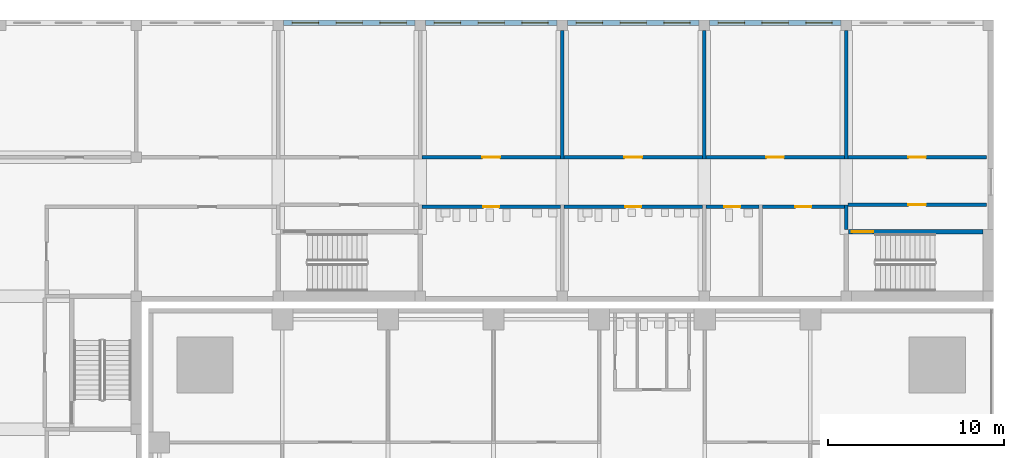
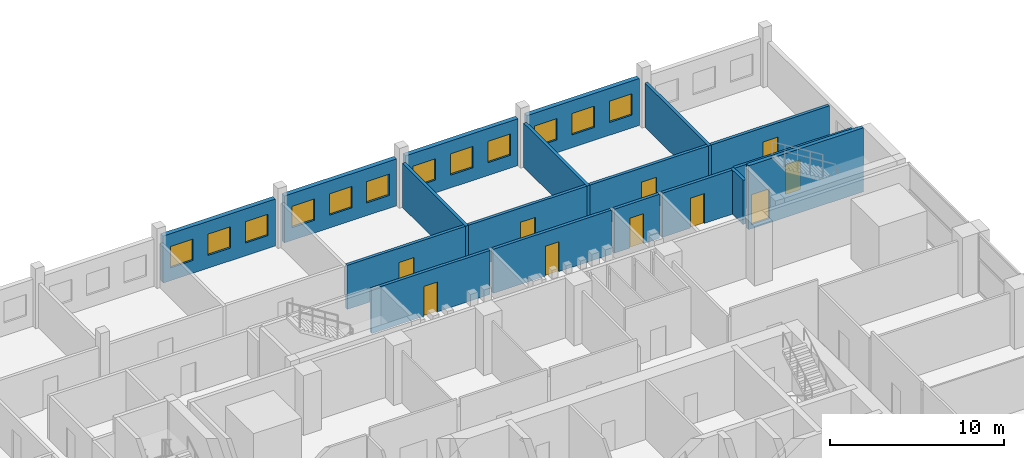
# One storey, part 17 of 25: 18 walls, 12 windows, 10 doors, 22 openings.
"""IFC4 building model written with IfcOpenShell, lengths in metres."""

from ifc_helpers import new_model, si_unit, direction, frame, frame_2d, origin, place, context, subcontext, project, spatial, rectangle, extrude, material, layer, layer_set, type_object, element, fill, save


model = new_model("IFC4")

# Units and contexts
model_context = context("Model", 3, precision=1e-05, world=origin(), true_north=direction((0.0, 1.0)))
body_context = subcontext(model_context, "Body", "Model", "MODEL_VIEW")
ifc_project = project(units=[si_unit("LENGTHUNIT", "METRE"), si_unit("AREAUNIT", "SQUARE_METRE"), si_unit("VOLUMEUNIT", "CUBIC_METRE"), si_unit("PLANEANGLEUNIT", "RADIAN"), si_unit("MASSUNIT", "GRAM", prefix="KILO")], contexts=[model_context])

# Site, building, storey
site_placement = place(None, origin())
site = spatial("IfcSite", under=ifc_project, at=site_placement, CompositionType="ELEMENT")
building_placement = place(site_placement, origin())
building = spatial("IfcBuilding", under=site, at=building_placement, Name="Amberfall Residences", CompositionType="ELEMENT")
storey_placement = place(building_placement, frame((0.0, 0.0, 14.5)))
storey = spatial("IfcBuildingStorey", under=building, at=storey_placement, Name="L03", CompositionType="ELEMENT", Elevation=14.5)

# Wall, openings, windows
ifc_material_1 = material(Name="Aerated block wall")
ifc_layer_1 = layer(ifc_material_1, 0.300048828125)
ifc_layer_set_1 = layer_set([ifc_layer_1], Name="School external wall 300")
wall_type_1 = type_object("IfcWallType", Name="School external wall 300", PredefinedType="SOLIDWALL", material=ifc_layer_set_1)
wall_1_placement = place(storey_placement, frame((59.6669921875, 84.25, 0.0), z_axis=(0.0, 0.0, 1.0), x_axis=(1.0, 0.0, 0.0)))
wall_1 = element("IfcWall", 1, at=wall_1_placement, inside=storey, type_object=wall_type_1, Name="School external wall L03 EN3", PredefinedType="SOLIDWALL", context=body_context, shape_type="SweptSolid", body=[
    extrude(rectangle(XDim=7.466064453125, YDim=0.300048828125, at=frame_2d((3.73291015625, 0.0))), origin(), (0.0, 0.0, 1.0), 3.300048828125),
])
opening_1_placement = place(wall_1_placement, frame((0.494384765625, 0.0, 0.89990234375)))
opening_1 = element("IfcOpeningElement", 2, at=opening_1_placement, cuts=wall_1, Name="Opening SWN1", PredefinedType="OPENING", context=body_context, shape_type="SweptSolid", body=[
    extrude(rectangle(XDim=1.5, YDim=1.5, at=frame_2d((0.75, 0.75))), frame((0.0, 0.159912109375, 0.0), z_axis=(0.0, -1.0, 0.0), x_axis=(1.0, 0.0, 0.0)), (0.0, 0.0, 1.0), 0.320068359375),
])
opening_2_placement = place(wall_1_placement, frame((2.98291015625, 0.0, 0.89990234375)))
opening_2 = element("IfcOpeningElement", 3, at=opening_2_placement, cuts=wall_1, Name="Opening SWN1", PredefinedType="OPENING", context=body_context, shape_type="SweptSolid", body=[
    extrude(rectangle(XDim=1.5, YDim=1.5, at=frame_2d((0.75, 0.75))), frame((0.0, 0.159912109375, 0.0), z_axis=(0.0, -1.0, 0.0), x_axis=(1.0, 0.0, 0.0)), (0.0, 0.0, 1.0), 0.320068359375),
])
opening_3_placement = place(wall_1_placement, frame((5.4716796875, 0.0, 0.89990234375)))
opening_3 = element("IfcOpeningElement", 4, at=opening_3_placement, cuts=wall_1, Name="Opening SWN1", PredefinedType="OPENING", context=body_context, shape_type="SweptSolid", body=[
    extrude(rectangle(XDim=1.5, YDim=1.5, at=frame_2d((0.75, 0.75))), frame((0.0, 0.159912109375, 0.0), z_axis=(0.0, -1.0, 0.0), x_axis=(1.0, 0.0, 0.0)), (0.0, 0.0, 1.0), 0.320068359375),
])
ifc_material_2 = material(Name="Aluminium window", Category="aluminium")
window_type = type_object("IfcWindowType", Name="School window 1500 x 1500", PartitioningType="DOUBLE_PANEL_HORIZONTAL", PredefinedType="WINDOW", material=ifc_material_2)
window_1_placement = place(opening_1_placement, origin())
window_1 = element("IfcWindow", 5, at=window_1_placement, inside=storey, type_object=window_type, Name="School window L03 EN3-1", OverallHeight=1.5, OverallWidth=1.5, PartitioningType="DOUBLE_PANEL_HORIZONTAL", PredefinedType="WINDOW", context=body_context, shape_type="SweptSolid", body=[
    extrude(rectangle(XDim=1.5, YDim=1.5, at=frame_2d((0.75, 0.75))), frame((0.0, 0.030029296875, 0.0), z_axis=(0.0, -1.0, 0.0), x_axis=(1.0, 0.0, 0.0)), (0.0, 0.0, 1.0), 0.06005859375),
])
fill(opening_1, window_1)
window_2_placement = place(opening_2_placement, origin())
window_2 = element("IfcWindow", 6, at=window_2_placement, inside=storey, type_object=window_type, Name="School window L03 EN3-2", OverallHeight=1.5, OverallWidth=1.5, PartitioningType="DOUBLE_PANEL_HORIZONTAL", PredefinedType="WINDOW", context=body_context, shape_type="SweptSolid", body=[
    extrude(rectangle(XDim=1.5, YDim=1.5, at=frame_2d((0.75, 0.75))), frame((0.0, 0.030029296875, 0.0), z_axis=(0.0, -1.0, 0.0), x_axis=(1.0, 0.0, 0.0)), (0.0, 0.0, 1.0), 0.06005859375),
])
fill(opening_2, window_2)
window_3_placement = place(opening_3_placement, origin())
window_3 = element("IfcWindow", 7, at=window_3_placement, inside=storey, type_object=window_type, Name="School window L03 EN3-3", OverallHeight=1.5, OverallWidth=1.5, PartitioningType="DOUBLE_PANEL_HORIZONTAL", PredefinedType="WINDOW", context=body_context, shape_type="SweptSolid", body=[
    extrude(rectangle(XDim=1.5, YDim=1.5, at=frame_2d((0.75, 0.75))), frame((0.0, 0.030029296875, 0.0), z_axis=(0.0, -1.0, 0.0), x_axis=(1.0, 0.0, 0.0)), (0.0, 0.0, 1.0), 0.06005859375),
])
fill(opening_3, window_3)

wall_2_placement = place(storey_placement, frame((67.73291015625, 84.25, 0.0), z_axis=(0.0, 0.0, 1.0), x_axis=(1.0, 0.0, 0.0)))
wall_2 = element("IfcWall", 8, at=wall_2_placement, inside=storey, type_object=wall_type_1, Name="School external wall L03 EN4", PredefinedType="SOLIDWALL", context=body_context, shape_type="SweptSolid", body=[
    extrude(rectangle(XDim=7.467041015625, YDim=0.300048828125, at=frame_2d((3.7333984375, 0.0))), origin(), (0.0, 0.0, 1.0), 3.300048828125),
])
opening_4_placement = place(wall_2_placement, frame((0.494384765625, 0.0, 0.89990234375)))
opening_4 = element("IfcOpeningElement", 9, at=opening_4_placement, cuts=wall_2, Name="Opening SWN1", PredefinedType="OPENING", context=body_context, shape_type="SweptSolid", body=[
    extrude(rectangle(XDim=1.5, YDim=1.5, at=frame_2d((0.75, 0.75))), frame((0.0, 0.159912109375, 0.0), z_axis=(0.0, -1.0, 0.0), x_axis=(1.0, 0.0, 0.0)), (0.0, 0.0, 1.0), 0.320068359375),
])
opening_5_placement = place(wall_2_placement, frame((2.9833984375, 0.0, 0.89990234375)))
opening_5 = element("IfcOpeningElement", 10, at=opening_5_placement, cuts=wall_2, Name="Opening SWN1", PredefinedType="OPENING", context=body_context, shape_type="SweptSolid", body=[
    extrude(rectangle(XDim=1.5, YDim=1.5, at=frame_2d((0.75, 0.75))), frame((0.0, 0.159912109375, 0.0), z_axis=(0.0, -1.0, 0.0), x_axis=(1.0, 0.0, 0.0)), (0.0, 0.0, 1.0), 0.320068359375),
])
opening_6_placement = place(wall_2_placement, frame((5.472412109375, 0.0, 0.89990234375)))
opening_6 = element("IfcOpeningElement", 11, at=opening_6_placement, cuts=wall_2, Name="Opening SWN1", PredefinedType="OPENING", context=body_context, shape_type="SweptSolid", body=[
    extrude(rectangle(XDim=1.5, YDim=1.5, at=frame_2d((0.75, 0.75))), frame((0.0, 0.159912109375, 0.0), z_axis=(0.0, -1.0, 0.0), x_axis=(1.0, 0.0, 0.0)), (0.0, 0.0, 1.0), 0.320068359375),
])
window_4_placement = place(opening_4_placement, origin())
window_4 = element("IfcWindow", 12, at=window_4_placement, inside=storey, type_object=window_type, Name="School window L03 EN4-1", OverallHeight=1.5, OverallWidth=1.5, PartitioningType="DOUBLE_PANEL_HORIZONTAL", PredefinedType="WINDOW", context=body_context, shape_type="SweptSolid", body=[
    extrude(rectangle(XDim=1.5, YDim=1.5, at=frame_2d((0.75, 0.75))), frame((0.0, 0.030029296875, 0.0), z_axis=(0.0, -1.0, 0.0), x_axis=(1.0, 0.0, 0.0)), (0.0, 0.0, 1.0), 0.06005859375),
])
fill(opening_4, window_4)
window_5_placement = place(opening_5_placement, origin())
window_5 = element("IfcWindow", 13, at=window_5_placement, inside=storey, type_object=window_type, Name="School window L03 EN4-2", OverallHeight=1.5, OverallWidth=1.5, PartitioningType="DOUBLE_PANEL_HORIZONTAL", PredefinedType="WINDOW", context=body_context, shape_type="SweptSolid", body=[
    extrude(rectangle(XDim=1.5, YDim=1.5, at=frame_2d((0.75, 0.75))), frame((0.0, 0.030029296875, 0.0), z_axis=(0.0, -1.0, 0.0), x_axis=(1.0, 0.0, 0.0)), (0.0, 0.0, 1.0), 0.06005859375),
])
fill(opening_5, window_5)
window_6_placement = place(opening_6_placement, origin())
window_6 = element("IfcWindow", 14, at=window_6_placement, inside=storey, type_object=window_type, Name="School window L03 EN4-3", OverallHeight=1.5, OverallWidth=1.5, PartitioningType="DOUBLE_PANEL_HORIZONTAL", PredefinedType="WINDOW", context=body_context, shape_type="SweptSolid", body=[
    extrude(rectangle(XDim=1.5, YDim=1.5, at=frame_2d((0.75, 0.75))), frame((0.0, 0.030029296875, 0.0), z_axis=(0.0, -1.0, 0.0), x_axis=(1.0, 0.0, 0.0)), (0.0, 0.0, 1.0), 0.06005859375),
])
fill(opening_6, window_6)

wall_3_placement = place(storey_placement, frame((75.800048828125, 84.25, 0.0), z_axis=(0.0, 0.0, 1.0), x_axis=(1.0, 0.0, 0.0)))
wall_3 = element("IfcWall", 15, at=wall_3_placement, inside=storey, type_object=wall_type_1, Name="School external wall L03 EN5", PredefinedType="SOLIDWALL", context=body_context, shape_type="SweptSolid", body=[
    extrude(rectangle(XDim=7.467041015625, YDim=0.300048828125, at=frame_2d((3.7333984375, 0.0))), origin(), (0.0, 0.0, 1.0), 3.300048828125),
])
opening_7_placement = place(wall_3_placement, frame((0.494384765625, 0.0, 0.89990234375)))
opening_7 = element("IfcOpeningElement", 16, at=opening_7_placement, cuts=wall_3, Name="Opening SWN1", PredefinedType="OPENING", context=body_context, shape_type="SweptSolid", body=[
    extrude(rectangle(XDim=1.5, YDim=1.5, at=frame_2d((0.75, 0.75))), frame((0.0, 0.159912109375, 0.0), z_axis=(0.0, -1.0, 0.0), x_axis=(1.0, 0.0, 0.0)), (0.0, 0.0, 1.0), 0.320068359375),
])
opening_8_placement = place(wall_3_placement, frame((2.9833984375, 0.0, 0.89990234375)))
opening_8 = element("IfcOpeningElement", 17, at=opening_8_placement, cuts=wall_3, Name="Opening SWN1", PredefinedType="OPENING", context=body_context, shape_type="SweptSolid", body=[
    extrude(rectangle(XDim=1.5, YDim=1.5, at=frame_2d((0.75, 0.75))), frame((0.0, 0.159912109375, 0.0), z_axis=(0.0, -1.0, 0.0), x_axis=(1.0, 0.0, 0.0)), (0.0, 0.0, 1.0), 0.320068359375),
])
opening_9_placement = place(wall_3_placement, frame((5.472412109375, 0.0, 0.89990234375)))
opening_9 = element("IfcOpeningElement", 18, at=opening_9_placement, cuts=wall_3, Name="Opening SWN1", PredefinedType="OPENING", context=body_context, shape_type="SweptSolid", body=[
    extrude(rectangle(XDim=1.5, YDim=1.5, at=frame_2d((0.75, 0.75))), frame((0.0, 0.159912109375, 0.0), z_axis=(0.0, -1.0, 0.0), x_axis=(1.0, 0.0, 0.0)), (0.0, 0.0, 1.0), 0.320068359375),
])
window_7_placement = place(opening_7_placement, origin())
window_7 = element("IfcWindow", 19, at=window_7_placement, inside=storey, type_object=window_type, Name="School window L03 EN5-1", OverallHeight=1.5, OverallWidth=1.5, PartitioningType="DOUBLE_PANEL_HORIZONTAL", PredefinedType="WINDOW", context=body_context, shape_type="SweptSolid", body=[
    extrude(rectangle(XDim=1.5, YDim=1.5, at=frame_2d((0.75, 0.75))), frame((0.0, 0.030029296875, 0.0), z_axis=(0.0, -1.0, 0.0), x_axis=(1.0, 0.0, 0.0)), (0.0, 0.0, 1.0), 0.06005859375),
])
fill(opening_7, window_7)
window_8_placement = place(opening_8_placement, origin())
window_8 = element("IfcWindow", 20, at=window_8_placement, inside=storey, type_object=window_type, Name="School window L03 EN5-2", OverallHeight=1.5, OverallWidth=1.5, PartitioningType="DOUBLE_PANEL_HORIZONTAL", PredefinedType="WINDOW", context=body_context, shape_type="SweptSolid", body=[
    extrude(rectangle(XDim=1.5, YDim=1.5, at=frame_2d((0.75, 0.75))), frame((0.0, 0.030029296875, 0.0), z_axis=(0.0, -1.0, 0.0), x_axis=(1.0, 0.0, 0.0)), (0.0, 0.0, 1.0), 0.06005859375),
])
fill(opening_8, window_8)
window_9_placement = place(opening_9_placement, origin())
window_9 = element("IfcWindow", 21, at=window_9_placement, inside=storey, type_object=window_type, Name="School window L03 EN5-3", OverallHeight=1.5, OverallWidth=1.5, PartitioningType="DOUBLE_PANEL_HORIZONTAL", PredefinedType="WINDOW", context=body_context, shape_type="SweptSolid", body=[
    extrude(rectangle(XDim=1.5, YDim=1.5, at=frame_2d((0.75, 0.75))), frame((0.0, 0.030029296875, 0.0), z_axis=(0.0, -1.0, 0.0), x_axis=(1.0, 0.0, 0.0)), (0.0, 0.0, 1.0), 0.06005859375),
])
fill(opening_9, window_9)

wall_4_placement = place(storey_placement, frame((83.866943359375, 84.25, 0.0), z_axis=(0.0, 0.0, 1.0), x_axis=(1.0, 0.0, 0.0)))
wall_4 = element("IfcWall", 22, at=wall_4_placement, inside=storey, type_object=wall_type_1, Name="School external wall L03 EN6", PredefinedType="SOLIDWALL", context=body_context, shape_type="SweptSolid", body=[
    extrude(rectangle(XDim=7.466064453125, YDim=0.300048828125, at=frame_2d((3.73291015625, 0.0))), origin(), (0.0, 0.0, 1.0), 3.300048828125),
])
opening_10_placement = place(wall_4_placement, frame((0.494384765625, 0.0, 0.89990234375)))
opening_10 = element("IfcOpeningElement", 23, at=opening_10_placement, cuts=wall_4, Name="Opening SWN1", PredefinedType="OPENING", context=body_context, shape_type="SweptSolid", body=[
    extrude(rectangle(XDim=1.5, YDim=1.5, at=frame_2d((0.75, 0.75))), frame((0.0, 0.159912109375, 0.0), z_axis=(0.0, -1.0, 0.0), x_axis=(1.0, 0.0, 0.0)), (0.0, 0.0, 1.0), 0.320068359375),
])
opening_11_placement = place(wall_4_placement, frame((2.98291015625, 0.0, 0.89990234375)))
opening_11 = element("IfcOpeningElement", 24, at=opening_11_placement, cuts=wall_4, Name="Opening SWN1", PredefinedType="OPENING", context=body_context, shape_type="SweptSolid", body=[
    extrude(rectangle(XDim=1.5, YDim=1.5, at=frame_2d((0.75, 0.75))), frame((0.0, 0.159912109375, 0.0), z_axis=(0.0, -1.0, 0.0), x_axis=(1.0, 0.0, 0.0)), (0.0, 0.0, 1.0), 0.320068359375),
])
opening_12_placement = place(wall_4_placement, frame((5.4716796875, 0.0, 0.89990234375)))
opening_12 = element("IfcOpeningElement", 25, at=opening_12_placement, cuts=wall_4, Name="Opening SWN1", PredefinedType="OPENING", context=body_context, shape_type="SweptSolid", body=[
    extrude(rectangle(XDim=1.5, YDim=1.5, at=frame_2d((0.75, 0.75))), frame((0.0, 0.159912109375, 0.0), z_axis=(0.0, -1.0, 0.0), x_axis=(1.0, 0.0, 0.0)), (0.0, 0.0, 1.0), 0.320068359375),
])
window_10_placement = place(opening_10_placement, origin())
window_10 = element("IfcWindow", 26, at=window_10_placement, inside=storey, type_object=window_type, Name="School window L03 EN6-1", OverallHeight=1.5, OverallWidth=1.5, PartitioningType="DOUBLE_PANEL_HORIZONTAL", PredefinedType="WINDOW", context=body_context, shape_type="SweptSolid", body=[
    extrude(rectangle(XDim=1.5, YDim=1.5, at=frame_2d((0.75, 0.75))), frame((0.0, 0.030029296875, 0.0), z_axis=(0.0, -1.0, 0.0), x_axis=(1.0, 0.0, 0.0)), (0.0, 0.0, 1.0), 0.06005859375),
])
fill(opening_10, window_10)
window_11_placement = place(opening_11_placement, origin())
window_11 = element("IfcWindow", 27, at=window_11_placement, inside=storey, type_object=window_type, Name="School window L03 EN6-2", OverallHeight=1.5, OverallWidth=1.5, PartitioningType="DOUBLE_PANEL_HORIZONTAL", PredefinedType="WINDOW", context=body_context, shape_type="SweptSolid", body=[
    extrude(rectangle(XDim=1.5, YDim=1.5, at=frame_2d((0.75, 0.75))), frame((0.0, 0.030029296875, 0.0), z_axis=(0.0, -1.0, 0.0), x_axis=(1.0, 0.0, 0.0)), (0.0, 0.0, 1.0), 0.06005859375),
])
fill(opening_11, window_11)
window_12_placement = place(opening_12_placement, origin())
window_12 = element("IfcWindow", 28, at=window_12_placement, inside=storey, type_object=window_type, Name="School window L03 EN6-3", OverallHeight=1.5, OverallWidth=1.5, PartitioningType="DOUBLE_PANEL_HORIZONTAL", PredefinedType="WINDOW", context=body_context, shape_type="SweptSolid", body=[
    extrude(rectangle(XDim=1.5, YDim=1.5, at=frame_2d((0.75, 0.75))), frame((0.0, 0.030029296875, 0.0), z_axis=(0.0, -1.0, 0.0), x_axis=(1.0, 0.0, 0.0)), (0.0, 0.0, 1.0), 0.06005859375),
])
fill(opening_12, window_12)

# Wall, opening, door
ifc_layer_2 = layer(ifc_material_1, 0.199951171875)
ifc_layer_set_2 = layer_set([ifc_layer_2], Name="School partition 200")
wall_type_2 = type_object("IfcWallType", Name="School partition 200", PredefinedType="PARTITIONING", material=ifc_layer_set_2)
wall_5_placement = place(storey_placement, frame((67.532958984375, 76.60009765625, 0.0), z_axis=(0.0, 0.0, 1.0), x_axis=(1.0, 0.0, 0.0)))
wall_5 = element("IfcWall", 29, at=wall_5_placement, inside=storey, type_object=wall_type_2, Name="School partition L03 CWN268", PredefinedType="PARTITIONING", context=body_context, shape_type="SweptSolid", body=[
    extrude(rectangle(XDim=7.866943359375, YDim=0.199951171875, at=frame_2d((3.93359375, 0.0))), origin(), (0.0, 0.0, 1.0), 3.10009765625),
])
opening_13_placement = place(wall_5_placement, frame((3.43359375, 0.0, 0.0)))
opening_13 = element("IfcOpeningElement", 30, at=opening_13_placement, cuts=wall_5, Name="Opening SD5", PredefinedType="OPENING", context=body_context, shape_type="SweptSolid", body=[
    extrude(rectangle(XDim=1.0, YDim=2.10009765625, at=frame_2d((0.5, 1.050048828125))), frame((0.0, 0.10986328125, 0.0), z_axis=(0.0, -1.0, 0.0), x_axis=(1.0, 0.0, 0.0)), (0.0, 0.0, 1.0), 0.219970703125),
])
ifc_material_3 = material(Name="Timber door", Category="wood")
door_type_1 = type_object("IfcDoorType", Name="School classroom door 1000 x 2100", OperationType="SINGLE_SWING_LEFT", PredefinedType="DOOR", material=ifc_material_3)
door_1_placement = place(opening_13_placement, origin())
door_1 = element("IfcDoor", 31, at=door_1_placement, inside=storey, type_object=door_type_1, Name="School door L03 CWN268-1", OperationType="SINGLE_SWING_LEFT", OverallHeight=2.10009765625, OverallWidth=1.0, PredefinedType="DOOR", context=body_context, shape_type="SweptSolid", body=[
    extrude(rectangle(XDim=1.0, YDim=2.10009765625, at=frame_2d((0.5, 1.050048828125))), frame((0.0, 0.02490234375, 0.0), z_axis=(0.0, -1.0, 0.0), x_axis=(1.0, 0.0, 0.0)), (0.0, 0.0, 1.0), 0.050048828125),
])
fill(opening_13, door_1)

wall_6_placement = place(storey_placement, frame((75.60009765625, 76.60009765625, 0.0), z_axis=(0.0, 0.0, 1.0), x_axis=(1.0, 0.0, 0.0)))
wall_6 = element("IfcWall", 32, at=wall_6_placement, inside=storey, type_object=wall_type_2, Name="School partition L03 CWN376", PredefinedType="PARTITIONING", context=body_context, shape_type="SweptSolid", body=[
    extrude(rectangle(XDim=7.866943359375, YDim=0.199951171875, at=frame_2d((3.93359375, 0.0))), origin(), (0.0, 0.0, 1.0), 3.10009765625),
])
opening_14_placement = place(wall_6_placement, frame((3.43359375, 0.0, 0.0)))
opening_14 = element("IfcOpeningElement", 33, at=opening_14_placement, cuts=wall_6, Name="Opening SD5", PredefinedType="OPENING", context=body_context, shape_type="SweptSolid", body=[
    extrude(rectangle(XDim=1.0, YDim=2.10009765625, at=frame_2d((0.5, 1.050048828125))), frame((0.0, 0.10986328125, 0.0), z_axis=(0.0, -1.0, 0.0), x_axis=(1.0, 0.0, 0.0)), (0.0, 0.0, 1.0), 0.219970703125),
])
door_2_placement = place(opening_14_placement, origin())
door_2 = element("IfcDoor", 34, at=door_2_placement, inside=storey, type_object=door_type_1, Name="School door L03 CWN376-1", OperationType="SINGLE_SWING_LEFT", OverallHeight=2.10009765625, OverallWidth=1.0, PredefinedType="DOOR", context=body_context, shape_type="SweptSolid", body=[
    extrude(rectangle(XDim=1.0, YDim=2.10009765625, at=frame_2d((0.5, 1.050048828125))), frame((0.0, 0.02490234375, 0.0), z_axis=(0.0, -1.0, 0.0), x_axis=(1.0, 0.0, 0.0)), (0.0, 0.0, 1.0), 0.050048828125),
])
fill(opening_14, door_2)

wall_7_placement = place(storey_placement, frame((83.6669921875, 76.60009765625, 0.0), z_axis=(0.0, 0.0, 1.0), x_axis=(1.0, 0.0, 0.0)))
wall_7 = element("IfcWall", 35, at=wall_7_placement, inside=storey, type_object=wall_type_2, Name="School partition L03 CWN484", PredefinedType="PARTITIONING", context=body_context, shape_type="SweptSolid", body=[
    extrude(rectangle(XDim=7.865966796875, YDim=0.199951171875, at=frame_2d((3.93310546875, 0.0))), origin(), (0.0, 0.0, 1.0), 3.10009765625),
])
opening_15_placement = place(wall_7_placement, frame((3.43310546875, 0.0, 0.0)))
opening_15 = element("IfcOpeningElement", 36, at=opening_15_placement, cuts=wall_7, Name="Opening SD5", PredefinedType="OPENING", context=body_context, shape_type="SweptSolid", body=[
    extrude(rectangle(XDim=1.0, YDim=2.10009765625, at=frame_2d((0.5, 1.050048828125))), frame((0.0, 0.10986328125, 0.0), z_axis=(0.0, -1.0, 0.0), x_axis=(1.0, 0.0, 0.0)), (0.0, 0.0, 1.0), 0.219970703125),
])
door_3_placement = place(opening_15_placement, origin())
door_3 = element("IfcDoor", 37, at=door_3_placement, inside=storey, type_object=door_type_1, Name="School door L03 CWN484-1", OperationType="SINGLE_SWING_LEFT", OverallHeight=2.10009765625, OverallWidth=1.0, PredefinedType="DOOR", context=body_context, shape_type="SweptSolid", body=[
    extrude(rectangle(XDim=1.0, YDim=2.10009765625, at=frame_2d((0.5, 1.050048828125))), frame((0.0, 0.02490234375, 0.0), z_axis=(0.0, -1.0, 0.0), x_axis=(1.0, 0.0, 0.0)), (0.0, 0.0, 1.0), 0.050048828125),
])
fill(opening_15, door_3)

wall_8_placement = place(storey_placement, frame((91.73291015625, 76.60009765625, 0.0), z_axis=(0.0, 0.0, 1.0), x_axis=(1.0, 0.0, 0.0)))
wall_8 = element("IfcWall", 38, at=wall_8_placement, inside=storey, type_object=wall_type_2, Name="School partition L03 CWN592", PredefinedType="PARTITIONING", context=body_context, shape_type="SweptSolid", body=[
    extrude(rectangle(XDim=7.8671875, YDim=0.199951171875, at=frame_2d((3.93359375, 0.0))), origin(), (0.0, 0.0, 1.0), 3.10009765625),
])
opening_16_placement = place(wall_8_placement, frame((3.43359375, 0.0, 0.0)))
opening_16 = element("IfcOpeningElement", 39, at=opening_16_placement, cuts=wall_8, Name="Opening SD5", PredefinedType="OPENING", context=body_context, shape_type="SweptSolid", body=[
    extrude(rectangle(XDim=1.0, YDim=2.10009765625, at=frame_2d((0.5, 1.050048828125))), frame((0.0, 0.10986328125, 0.0), z_axis=(0.0, -1.0, 0.0), x_axis=(1.0, 0.0, 0.0)), (0.0, 0.0, 1.0), 0.219970703125),
])
door_4_placement = place(opening_16_placement, origin())
door_4 = element("IfcDoor", 40, at=door_4_placement, inside=storey, type_object=door_type_1, Name="School door L03 CWN592-1", OperationType="SINGLE_SWING_LEFT", OverallHeight=2.10009765625, OverallWidth=1.0, PredefinedType="DOOR", context=body_context, shape_type="SweptSolid", body=[
    extrude(rectangle(XDim=1.0, YDim=2.10009765625, at=frame_2d((0.5, 1.050048828125))), frame((0.0, 0.02490234375, 0.0), z_axis=(0.0, -1.0, 0.0), x_axis=(1.0, 0.0, 0.0)), (0.0, 0.0, 1.0), 0.050048828125),
])
fill(opening_16, door_4)

# Walls
for number, where, z_axis, x_axis, name in (
    (41, (75.5, 76.5, 0.0), (0.0, 0.0, 1.0), (0.0, 1.0, 0.0), "School partition L03 PN7550"),
    (42, (83.56689453125, 76.5, 0.0), (0.0, 0.0, 1.0), (0.0, 1.0, 0.0), "School partition L03 PN8357"),
    (43, (91.633056640625, 76.5, 0.0), (0.0, 0.0, 1.0), (0.0, 1.0, 0.0), "School partition L03 PN9163"),
):
    element("IfcWall", number, at=place(storey_placement, frame(where, z_axis=z_axis, x_axis=x_axis)), inside=storey, type_object=wall_type_2, Name=name, PredefinedType="PARTITIONING", context=body_context, shape_type="SweptSolid", body=[
        extrude(rectangle(XDim=7.300048828125, YDim=0.199951171875, at=frame_2d((3.64990234375, 0.0))), origin(), (0.0, 0.0, 1.0), 3.10009765625),
    ])

# Wall, opening, door
wall_9_placement = place(storey_placement, frame((67.532958984375, 73.800048828125, 0.0), z_axis=(0.0, 0.0, 1.0), x_axis=(1.0, 0.0, 0.0)))
wall_9 = element("IfcWall", 44, at=wall_9_placement, inside=storey, type_object=wall_type_2, Name="School partition L03 CWS68", PredefinedType="PARTITIONING", context=body_context, shape_type="SweptSolid", body=[
    extrude(rectangle(XDim=7.866943359375, YDim=0.199951171875, at=frame_2d((3.93359375, 0.0))), origin(), (0.0, 0.0, 1.0), 3.10009765625),
])
opening_17_placement = place(wall_9_placement, frame((3.4833984375, 0.0, 0.0)))
opening_17 = element("IfcOpeningElement", 45, at=opening_17_placement, cuts=wall_9, Name="Opening SD2", PredefinedType="OPENING", context=body_context, shape_type="SweptSolid", body=[
    extrude(rectangle(XDim=0.89990234375, YDim=2.10009765625, at=frame_2d((0.449951171875, 1.050048828125))), frame((0.0, 0.10986328125, 0.0), z_axis=(0.0, -1.0, 0.0), x_axis=(1.0, 0.0, 0.0)), (0.0, 0.0, 1.0), 0.219970703125),
])
door_type_2 = type_object("IfcDoorType", Name="School WC door 900 x 2100", OperationType="SINGLE_SWING_LEFT", PredefinedType="DOOR", material=ifc_material_3)
door_5_placement = place(opening_17_placement, origin())
door_5 = element("IfcDoor", 46, at=door_5_placement, inside=storey, type_object=door_type_2, Name="School door L03 CWS68-1", OperationType="SINGLE_SWING_LEFT", OverallHeight=2.10009765625, OverallWidth=0.89990234375, PredefinedType="DOOR", context=body_context, shape_type="SweptSolid", body=[
    extrude(rectangle(XDim=0.89990234375, YDim=2.10009765625, at=frame_2d((0.449951171875, 1.050048828125))), frame((0.0, 0.02490234375, 0.0), z_axis=(0.0, -1.0, 0.0), x_axis=(1.0, 0.0, 0.0)), (0.0, 0.0, 1.0), 0.050048828125),
])
fill(opening_17, door_5)

wall_10_placement = place(storey_placement, frame((75.60009765625, 73.800048828125, 0.0), z_axis=(0.0, 0.0, 1.0), x_axis=(1.0, 0.0, 0.0)))
wall_10 = element("IfcWall", 47, at=wall_10_placement, inside=storey, type_object=wall_type_2, Name="School partition L03 CWS76", PredefinedType="PARTITIONING", context=body_context, shape_type="SweptSolid", body=[
    extrude(rectangle(XDim=7.866943359375, YDim=0.199951171875, at=frame_2d((3.93359375, 0.0))), origin(), (0.0, 0.0, 1.0), 3.10009765625),
])
opening_18_placement = place(wall_10_placement, frame((3.4833984375, 0.0, 0.0)))
opening_18 = element("IfcOpeningElement", 48, at=opening_18_placement, cuts=wall_10, Name="Opening SD2", PredefinedType="OPENING", context=body_context, shape_type="SweptSolid", body=[
    extrude(rectangle(XDim=0.89990234375, YDim=2.10009765625, at=frame_2d((0.449951171875, 1.050048828125))), frame((0.0, 0.10986328125, 0.0), z_axis=(0.0, -1.0, 0.0), x_axis=(1.0, 0.0, 0.0)), (0.0, 0.0, 1.0), 0.219970703125),
])
door_6_placement = place(opening_18_placement, origin())
door_6 = element("IfcDoor", 49, at=door_6_placement, inside=storey, type_object=door_type_2, Name="School door L03 CWS76-1", OperationType="SINGLE_SWING_LEFT", OverallHeight=2.10009765625, OverallWidth=0.89990234375, PredefinedType="DOOR", context=body_context, shape_type="SweptSolid", body=[
    extrude(rectangle(XDim=0.89990234375, YDim=2.10009765625, at=frame_2d((0.449951171875, 1.050048828125))), frame((0.0, 0.02490234375, 0.0), z_axis=(0.0, -1.0, 0.0), x_axis=(1.0, 0.0, 0.0)), (0.0, 0.0, 1.0), 0.050048828125),
])
fill(opening_18, door_6)

wall_11_placement = place(storey_placement, frame((83.6669921875, 73.800048828125, 0.0), z_axis=(0.0, 0.0, 1.0), x_axis=(1.0, 0.0, 0.0)))
wall_11 = element("IfcWall", 50, at=wall_11_placement, inside=storey, type_object=wall_type_2, Name="School partition L03 CWS84", PredefinedType="PARTITIONING", context=body_context, shape_type="SweptSolid", body=[
    extrude(rectangle(XDim=3.0, YDim=0.199951171875, at=frame_2d((1.5, 0.0))), origin(), (0.0, 0.0, 1.0), 3.10009765625),
])
opening_19_placement = place(wall_11_placement, frame((1.050048828125, 0.0, 0.0)))
opening_19 = element("IfcOpeningElement", 51, at=opening_19_placement, cuts=wall_11, Name="Opening SD2", PredefinedType="OPENING", context=body_context, shape_type="SweptSolid", body=[
    extrude(rectangle(XDim=0.89990234375, YDim=2.10009765625, at=frame_2d((0.449951171875, 1.050048828125))), frame((0.0, 0.10986328125, 0.0), z_axis=(0.0, -1.0, 0.0), x_axis=(1.0, 0.0, 0.0)), (0.0, 0.0, 1.0), 0.219970703125),
])
door_7_placement = place(opening_19_placement, origin())
door_7 = element("IfcDoor", 52, at=door_7_placement, inside=storey, type_object=door_type_2, Name="School door L03 CWS84-1", OperationType="SINGLE_SWING_LEFT", OverallHeight=2.10009765625, OverallWidth=0.89990234375, PredefinedType="DOOR", context=body_context, shape_type="SweptSolid", body=[
    extrude(rectangle(XDim=0.89990234375, YDim=2.10009765625, at=frame_2d((0.449951171875, 1.050048828125))), frame((0.0, 0.02490234375, 0.0), z_axis=(0.0, -1.0, 0.0), x_axis=(1.0, 0.0, 0.0)), (0.0, 0.0, 1.0), 0.050048828125),
])
fill(opening_19, door_7)

wall_12_placement = place(storey_placement, frame((86.866943359375, 73.800048828125, 0.0), z_axis=(0.0, 0.0, 1.0), x_axis=(1.0, 0.0, 0.0)))
wall_12 = element("IfcWall", 53, at=wall_12_placement, inside=storey, type_object=wall_type_2, Name="School partition L03 CWS87", PredefinedType="PARTITIONING", context=body_context, shape_type="SweptSolid", body=[
    extrude(rectangle(XDim=4.666015625, YDim=0.199951171875, at=frame_2d((2.3330078125, 0.0))), origin(), (0.0, 0.0, 1.0), 3.10009765625),
])
opening_20_placement = place(wall_12_placement, frame((1.883056640625, 0.0, 0.0)))
opening_20 = element("IfcOpeningElement", 54, at=opening_20_placement, cuts=wall_12, Name="Opening SD2", PredefinedType="OPENING", context=body_context, shape_type="SweptSolid", body=[
    extrude(rectangle(XDim=0.89990234375, YDim=2.10009765625, at=frame_2d((0.449951171875, 1.050048828125))), frame((0.0, 0.10986328125, 0.0), z_axis=(0.0, -1.0, 0.0), x_axis=(1.0, 0.0, 0.0)), (0.0, 0.0, 1.0), 0.219970703125),
])
door_8_placement = place(opening_20_placement, origin())
door_8 = element("IfcDoor", 55, at=door_8_placement, inside=storey, type_object=door_type_2, Name="School door L03 CWS87-1", OperationType="SINGLE_SWING_LEFT", OverallHeight=2.10009765625, OverallWidth=0.89990234375, PredefinedType="DOOR", context=body_context, shape_type="SweptSolid", body=[
    extrude(rectangle(XDim=0.89990234375, YDim=2.10009765625, at=frame_2d((0.449951171875, 1.050048828125))), frame((0.0, 0.02490234375, 0.0), z_axis=(0.0, -1.0, 0.0), x_axis=(1.0, 0.0, 0.0)), (0.0, 0.0, 1.0), 0.050048828125),
])
fill(opening_20, door_8)

# Wall
wall_13_placement = place(storey_placement, frame((91.633056640625, 72.5, 0.0), z_axis=(0.0, 0.0, 1.0), x_axis=(0.0, 1.0, 0.0)))
element("IfcWall", 56, at=wall_13_placement, inside=storey, type_object=wall_type_2, Name="School partition L03 PSA5", PredefinedType="PARTITIONING", context=body_context, shape_type="SweptSolid", body=[
    extrude(rectangle(XDim=1.39990234375, YDim=0.199951171875, at=frame_2d((0.699951171875, 0.0))), origin(), (0.0, 0.0, 1.0), 3.10009765625),
])

# Wall, opening, door
wall_14_placement = place(storey_placement, frame((91.73291015625, 73.89990234375, 0.0), z_axis=(0.0, 0.0, 1.0), x_axis=(1.0, 0.0, 0.0)))
wall_14 = element("IfcWall", 57, at=wall_14_placement, inside=storey, type_object=wall_type_2, Name="School partition L03 CWLSS5", PredefinedType="PARTITIONING", context=body_context, shape_type="SweptSolid", body=[
    extrude(rectangle(XDim=7.8671875, YDim=0.199951171875, at=frame_2d((3.93359375, 0.0))), origin(), (0.0, 0.0, 1.0), 3.10009765625),
])
opening_21_placement = place(wall_14_placement, frame((3.43359375, 0.0, 0.0)))
opening_21 = element("IfcOpeningElement", 58, at=opening_21_placement, cuts=wall_14, Name="Opening SD8", PredefinedType="OPENING", context=body_context, shape_type="SweptSolid", body=[
    extrude(rectangle(XDim=1.0, YDim=2.10009765625, at=frame_2d((0.5, 1.050048828125))), frame((0.0, 0.10986328125, 0.0), z_axis=(0.0, -1.0, 0.0), x_axis=(1.0, 0.0, 0.0)), (0.0, 0.0, 1.0), 0.219970703125),
])
door_type_3 = type_object("IfcDoorType", Name="School lobby door 1000 x 2100", OperationType="SINGLE_SWING_LEFT", PredefinedType="DOOR", material=ifc_material_3)
door_9_placement = place(opening_21_placement, origin())
door_9 = element("IfcDoor", 59, at=door_9_placement, inside=storey, type_object=door_type_3, Name="School door L03 CWLSS5-1", OperationType="SINGLE_SWING_LEFT", OverallHeight=2.10009765625, OverallWidth=1.0, PredefinedType="DOOR", context=body_context, shape_type="SweptSolid", body=[
    extrude(rectangle(XDim=1.0, YDim=2.10009765625, at=frame_2d((0.5, 1.050048828125))), frame((0.0, 0.02490234375, 0.0), z_axis=(0.0, -1.0, 0.0), x_axis=(1.0, 0.0, 0.0)), (0.0, 0.0, 1.0), 0.050048828125),
])
fill(opening_21, door_9)

ifc_material_4 = material(Name="Concrete C50", Category="concrete")
ifc_layer_3 = layer(ifc_material_4, 0.25)
ifc_layer_set_3 = layer_set([ifc_layer_3], Name="School stair core wall 250 C50")
wall_type_3 = type_object("IfcWallType", Name="School stair core wall 250 C50", PredefinedType="SHEAR", material=ifc_layer_set_3)
wall_15_placement = place(storey_placement, frame((91.758056640625, 72.375, -0.300048828125), z_axis=(0.0, 0.0, 1.0), x_axis=(1.0, 0.0, 0.0)))
wall_15 = element("IfcWall", 60, at=wall_15_placement, inside=storey, type_object=wall_type_3, Name="School core wall L03 SS5N", PredefinedType="SHEAR", context=body_context, shape_type="SweptSolid", body=[
    extrude(rectangle(XDim=7.641845703125, YDim=0.25, at=frame_2d((3.82080078125, 0.0))), origin(), (0.0, 0.0, 1.0), 4.5),
])
opening_22_placement = place(wall_15_placement, frame((0.199951171875, 0.0, 0.300048828125)))
opening_22 = element("IfcOpeningElement", 61, at=opening_22_placement, cuts=wall_15, Name="Opening SD4", PredefinedType="OPENING", context=body_context, shape_type="SweptSolid", body=[
    extrude(rectangle(XDim=1.199951171875, YDim=2.10009765625, at=frame_2d((0.60009765625, 1.050048828125))), frame((0.0, 0.135009765625, 0.0), z_axis=(0.0, -1.0, 0.0), x_axis=(1.0, 0.0, 0.0)), (0.0, 0.0, 1.0), 0.27001953125),
])
ifc_material_5 = material(Name="Steel fire door", Category="steel")
door_type_4 = type_object("IfcDoorType", Name="School stair door 1200 x 2100 FD120", OperationType="SINGLE_SWING_LEFT", PredefinedType="DOOR", material=ifc_material_5)
door_10_placement = place(opening_22_placement, origin())
door_10 = element("IfcDoor", 62, at=door_10_placement, inside=storey, type_object=door_type_4, Name="School stair door L03 SS5", OperationType="SINGLE_SWING_LEFT", OverallHeight=2.10009765625, OverallWidth=1.199951171875, PredefinedType="DOOR", context=body_context, shape_type="SweptSolid", body=[
    extrude(rectangle(XDim=1.199951171875, YDim=2.10009765625, at=frame_2d((0.60009765625, 1.050048828125))), frame((0.0, 0.02490234375, 0.0), z_axis=(0.0, -1.0, 0.0), x_axis=(1.0, 0.0, 0.0)), (0.0, 0.0, 1.0), 0.050048828125),
])
fill(opening_22, door_10)

save(model, "model.ifc")
